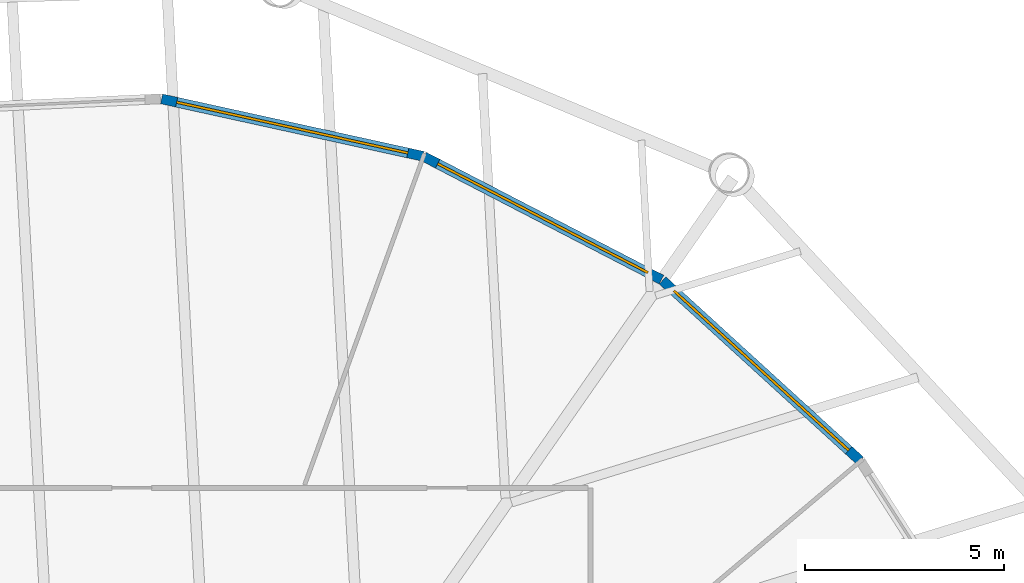
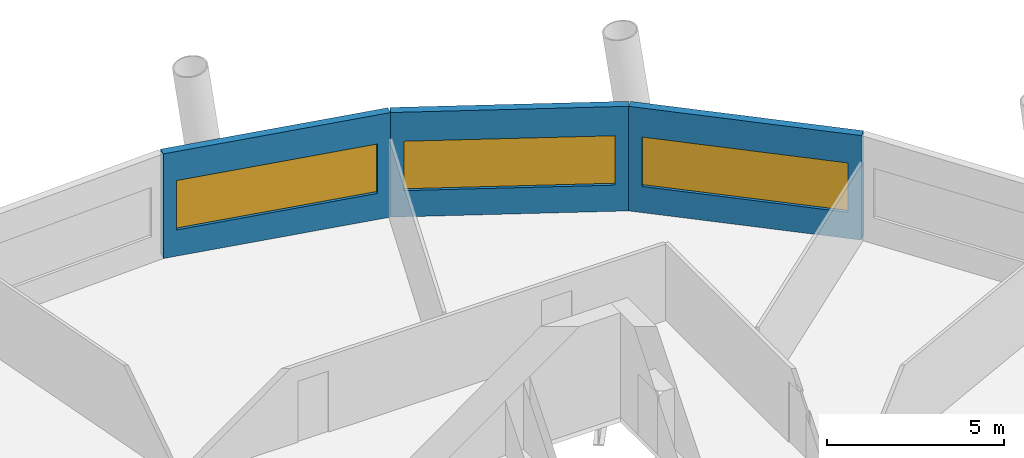
# One storey, part 7 of 11: 3 walls, 3 windows, 3 openings.
"""IFC4 building model written with IfcOpenShell, lengths in metres."""

from ifc_helpers import new_model, si_unit, direction, frame, frame_2d, origin, place, context, subcontext, project, spatial, rectangle, extrude, material, layer, layer_set, type_object, element, fill, save


model = new_model("IFC4")

# Units and contexts
model_context = context("Model", 3, precision=1e-05, world=origin(), true_north=direction((0.0, 1.0)))
body_context = subcontext(model_context, "Body", "Model", "MODEL_VIEW")
ifc_project = project(units=[si_unit("LENGTHUNIT", "METRE"), si_unit("AREAUNIT", "SQUARE_METRE"), si_unit("VOLUMEUNIT", "CUBIC_METRE"), si_unit("PLANEANGLEUNIT", "RADIAN"), si_unit("MASSUNIT", "GRAM", prefix="KILO")], contexts=[model_context])

# Site, building, storey
site_placement = place(None, origin())
site = spatial("IfcSite", under=ifc_project, at=site_placement, CompositionType="ELEMENT")
building_placement = place(site_placement, origin())
building = spatial("IfcBuilding", under=site, at=building_placement, Name="Tarsis Ring Headquarters", CompositionType="ELEMENT")
storey_placement = place(building_placement, frame((0.0, 0.0, 298.10009765625)))
storey = spatial("IfcBuildingStorey", under=building, at=storey_placement, Name="L70", CompositionType="ELEMENT", Elevation=298.10009765625)

# Wall, opening, window
ifc_material_1 = material(Name="Terracotta clad insulated panel wall", Category="masonry")
ifc_layer = layer(ifc_material_1, 0.25)
ifc_layer_set = layer_set([ifc_layer], Name="Facade wall terracotta panel 250")
wall_type = type_object("IfcWallType", Name="Facade wall terracotta panel 250", PredefinedType="STANDARD", material=ifc_layer_set)
wall_1_placement = place(storey_placement, frame((19.7734375, 16.68408203125, 0.0), z_axis=(0.0, 0.0, 1.0), x_axis=(-0.738694632176, 0.67404023648, 0.0)))
wall_1 = element("IfcWall", 1, at=wall_1_placement, inside=storey, type_object=wall_type, Name="External wall L70-23", PredefinedType="STANDARD", context=body_context, shape_type="SweptSolid", body=[
    extrude(rectangle(XDim=6.721435546875, YDim=0.25, at=frame_2d((3.36083984375, 0.0))), origin(), (0.0, 0.0, 1.0), 3.599853515625),
])
opening_1_placement = place(wall_1_placement, frame((0.3857421875, 0.0, 0.89990234375)))
opening_1 = element("IfcOpeningElement", 2, at=opening_1_placement, cuts=wall_1, Name="Opening WN07", PredefinedType="OPENING", context=body_context, shape_type="SweptSolid", body=[
    extrude(rectangle(XDim=5.949951171875, YDim=1.699951171875, at=frame_2d((2.97509765625, 0.85009765625))), frame((0.0, 0.135009765625, 0.0), z_axis=(0.0, -1.0, 0.0), x_axis=(1.0, 0.0, 0.0)), (0.0, 0.0, 1.0), 0.27001953125),
])
ifc_material_2 = material(Name="Aluminium framed double glazing", Category="aluminium")
window_type = type_object("IfcWindowType", Name="Facade window 5950 x 1700", PartitioningType="SINGLE_PANEL", PredefinedType="WINDOW", material=ifc_material_2)
window_1_placement = place(opening_1_placement, origin())
window_1 = element("IfcWindow", 3, at=window_1_placement, inside=storey, type_object=window_type, Name="Window L70-23.1", OverallHeight=1.699951171875, OverallWidth=5.949951171875, PartitioningType="SINGLE_PANEL", PredefinedType="WINDOW", context=body_context, shape_type="SweptSolid", body=[
    extrude(rectangle(XDim=5.949951171875, YDim=1.699951171875, at=frame_2d((2.97509765625, 0.85009765625))), frame((0.0, 0.030029296875, 0.0), z_axis=(0.0, -1.0, 0.0), x_axis=(1.0, 0.0, 0.0)), (0.0, 0.0, 1.0), 0.06005859375),
])
fill(opening_1, window_1)

wall_2_placement = place(storey_placement, frame((14.78173828125, 21.2333984375, 0.0), z_axis=(0.0, 0.0, 1.0), x_axis=(-0.887988052701, 0.459866522221, 0.0)))
wall_2 = element("IfcWall", 4, at=wall_2_placement, inside=storey, type_object=wall_type, Name="External wall L70-24", PredefinedType="STANDARD", context=body_context, shape_type="SweptSolid", body=[
    extrude(rectangle(XDim=6.7216796875, YDim=0.25, at=frame_2d((3.36083984375, 0.0))), origin(), (0.0, 0.0, 1.0), 3.599853515625),
])
opening_2_placement = place(wall_2_placement, frame((0.3857421875, 0.0, 0.89990234375)))
opening_2 = element("IfcOpeningElement", 5, at=opening_2_placement, cuts=wall_2, Name="Opening WN07", PredefinedType="OPENING", context=body_context, shape_type="SweptSolid", body=[
    extrude(rectangle(XDim=5.949951171875, YDim=1.699951171875, at=frame_2d((2.97509765625, 0.85009765625))), frame((0.0, 0.135009765625, 0.0), z_axis=(0.0, -1.0, 0.0), x_axis=(1.0, 0.0, 0.0)), (0.0, 0.0, 1.0), 0.27001953125),
])
window_2_placement = place(opening_2_placement, origin())
window_2 = element("IfcWindow", 6, at=window_2_placement, inside=storey, type_object=window_type, Name="Window L70-24.1", OverallHeight=1.699951171875, OverallWidth=5.949951171875, PartitioningType="SINGLE_PANEL", PredefinedType="WINDOW", context=body_context, shape_type="SweptSolid", body=[
    extrude(rectangle(XDim=5.949951171875, YDim=1.699951171875, at=frame_2d((2.97509765625, 0.85009765625))), frame((0.0, 0.030029296875, 0.0), z_axis=(0.0, -1.0, 0.0), x_axis=(1.0, 0.0, 0.0)), (0.0, 0.0, 1.0), 0.06005859375),
])
fill(opening_2, window_2)

wall_3_placement = place(storey_placement, frame((8.782470703125, 24.33544921875, 0.0), z_axis=(0.0, 0.0, 1.0), x_axis=(-0.976745270771, 0.214403069068, 0.0)))
wall_3 = element("IfcWall", 7, at=wall_3_placement, inside=storey, type_object=wall_type, Name="External wall L70-25", PredefinedType="STANDARD", context=body_context, shape_type="SweptSolid", body=[
    extrude(rectangle(XDim=6.7216796875, YDim=0.25, at=frame_2d((3.36083984375, 0.0))), origin(), (0.0, 0.0, 1.0), 3.599853515625),
])
opening_3_placement = place(wall_3_placement, frame((0.3857421875, 0.0, 0.89990234375)))
opening_3 = element("IfcOpeningElement", 8, at=opening_3_placement, cuts=wall_3, Name="Opening WN07", PredefinedType="OPENING", context=body_context, shape_type="SweptSolid", body=[
    extrude(rectangle(XDim=5.949951171875, YDim=1.699951171875, at=frame_2d((2.97509765625, 0.85009765625))), frame((0.0, 0.135009765625, 0.0), z_axis=(0.0, -1.0, 0.0), x_axis=(1.0, 0.0, 0.0)), (0.0, 0.0, 1.0), 0.27001953125),
])
window_3_placement = place(opening_3_placement, origin())
window_3 = element("IfcWindow", 9, at=window_3_placement, inside=storey, type_object=window_type, Name="Window L70-25.1", OverallHeight=1.699951171875, OverallWidth=5.949951171875, PartitioningType="SINGLE_PANEL", PredefinedType="WINDOW", context=body_context, shape_type="SweptSolid", body=[
    extrude(rectangle(XDim=5.949951171875, YDim=1.699951171875, at=frame_2d((2.97509765625, 0.85009765625))), frame((0.0, 0.030029296875, 0.0), z_axis=(0.0, -1.0, 0.0), x_axis=(1.0, 0.0, 0.0)), (0.0, 0.0, 1.0), 0.06005859375),
])
fill(opening_3, window_3)

save(model, "model.ifc")
